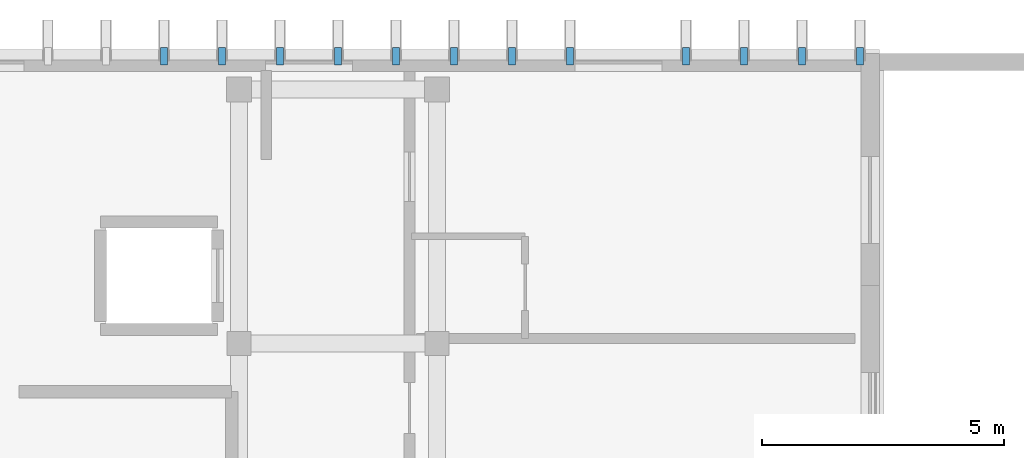
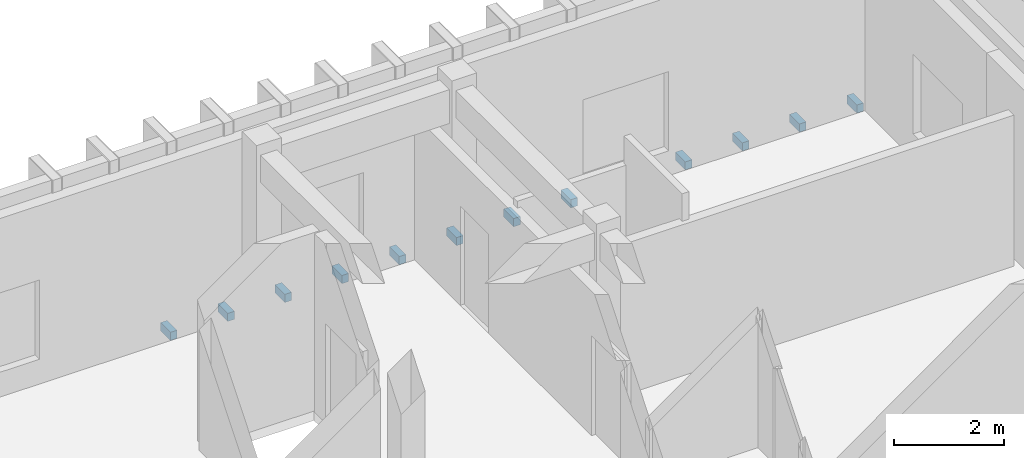
# One storey, part 5 of 7: 12 discrete accessories.
"""IFC4 building model written with IfcOpenShell, lengths in metres."""

from ifc_helpers import new_model, si_unit, direction, frame, origin, origin_2d, place, context, subcontext, project, spatial, rectangle, extrude, material, type_object, element, save


model = new_model("IFC4")

# Units and contexts
model_context = context("Model", 3, precision=1e-05, world=origin(), true_north=direction((0.0, 1.0)))
body_context = subcontext(model_context, "Body", "Model", "MODEL_VIEW")
ifc_project = project(units=[si_unit("LENGTHUNIT", "METRE"), si_unit("AREAUNIT", "SQUARE_METRE"), si_unit("VOLUMEUNIT", "CUBIC_METRE"), si_unit("PLANEANGLEUNIT", "RADIAN"), si_unit("MASSUNIT", "GRAM", prefix="KILO")], contexts=[model_context])

# Site, building, storey
site_placement = place(None, origin())
site = spatial("IfcSite", under=ifc_project, at=site_placement, CompositionType="ELEMENT")
building_placement = place(site_placement, origin())
building = spatial("IfcBuilding", under=site, at=building_placement, Name="Nakhvara Creek Congress Hotel", CompositionType="ELEMENT")
storey_placement = place(building_placement, frame((0.0, 0.0, 50.39990234375)))
storey = spatial("IfcBuildingStorey", under=building, at=storey_placement, Name="L12", CompositionType="ELEMENT", Elevation=50.39990234375)

# Discrete accessories
ifc_material = material(Name="Brushed stainless steel 316L", Category="steel")
discrete_accessory_type = type_object("IfcDiscreteAccessoryType", Name="ACC-BRK-SS316", PredefinedType="BRACKET", material=ifc_material)
for number, where, z_axis, x_axis, name in (
    (1, (160.800048828125, 125.93994140625, -0.10986328125), (0.0, 0.0, 1.0), (1.0, 0.0, 0.0), "Stainless Fin Bracket BK01-2455"),
    (2, (162.0, 125.93994140625, -0.10986328125), (0.0, 0.0, 1.0), (1.0, 0.0, 0.0), "Stainless Fin Bracket BK01-2457"),
    (3, (163.199951171875, 125.93994140625, -0.10986328125), (0.0, 0.0, 1.0), (1.0, 0.0, 0.0), "Stainless Fin Bracket BK01-2459"),
    (4, (164.39990234375, 125.93994140625, -0.10986328125), (0.0, 0.0, 1.0), (1.0, 0.0, 0.0), "Stainless Fin Bracket BK01-2461"),
    (5, (165.60009765625, 125.93994140625, -0.10986328125), (0.0, 0.0, 1.0), (1.0, 0.0, 0.0), "Stainless Fin Bracket BK01-2462"),
    (6, (166.800048828125, 125.93994140625, -0.10986328125), (0.0, 0.0, 1.0), (1.0, 0.0, 0.0), "Stainless Fin Bracket BK01-2463"),
    (7, (168.0, 125.93994140625, -0.10986328125), (0.0, 0.0, 1.0), (1.0, 0.0, 0.0), "Stainless Fin Bracket BK01-2465"),
    (8, (169.199951171875, 125.93994140625, -0.10986328125), (0.0, 0.0, 1.0), (1.0, 0.0, 0.0), "Stainless Fin Bracket BK01-2467"),
    (9, (171.60009765625, 125.93994140625, -0.10986328125), (0.0, 0.0, 1.0), (1.0, 0.0, 0.0), "Stainless Fin Bracket BK01-2470"),
    (10, (172.800048828125, 125.93994140625, -0.10986328125), (0.0, 0.0, 1.0), (1.0, 0.0, 0.0), "Stainless Fin Bracket BK01-2471"),
    (11, (174.0, 125.93994140625, -0.10986328125), (0.0, 0.0, 1.0), (1.0, 0.0, 0.0), "Stainless Fin Bracket BK01-2473"),
    (12, (175.199951171875, 125.93994140625, -0.10986328125), (0.0, 0.0, 1.0), (1.0, 0.0, 0.0), "Stainless Fin Bracket BK01-2475"),
):
    element("IfcDiscreteAccessory", number, at=place(storey_placement, frame(where, z_axis=z_axis, x_axis=x_axis)), inside=storey, type_object=discrete_accessory_type, Name=name, PredefinedType="BRACKET", context=body_context, shape_type="SweptSolid", body=[
        extrude(rectangle(XDim=0.139892578125, YDim=0.360107421875, at=origin_2d()), origin(), (0.0, 0.0, 1.0), 0.179931640625),
    ])

save(model, "model.ifc")
